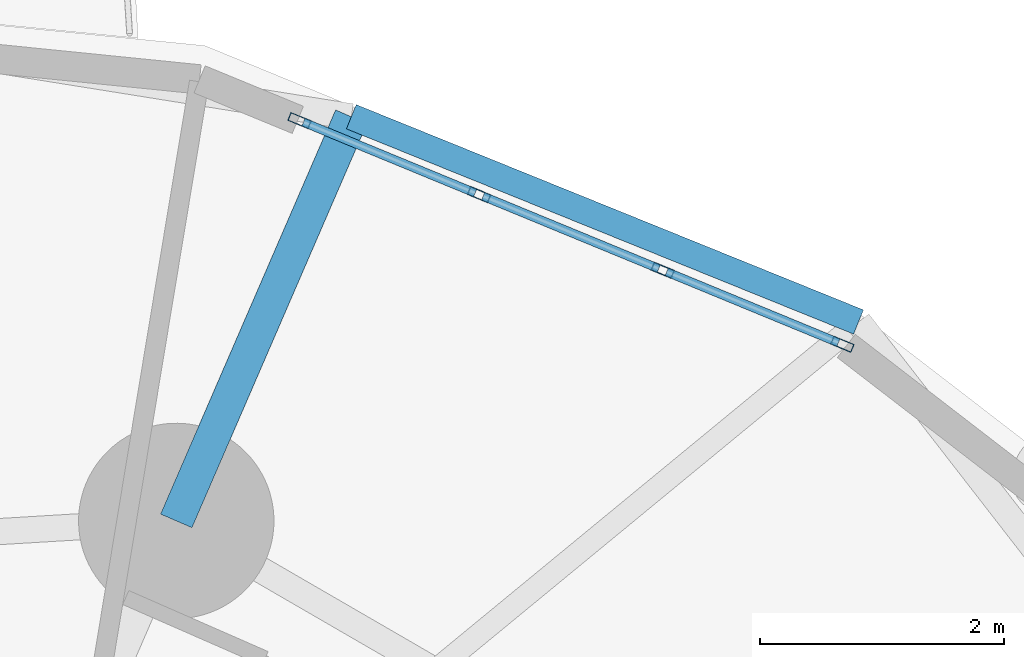
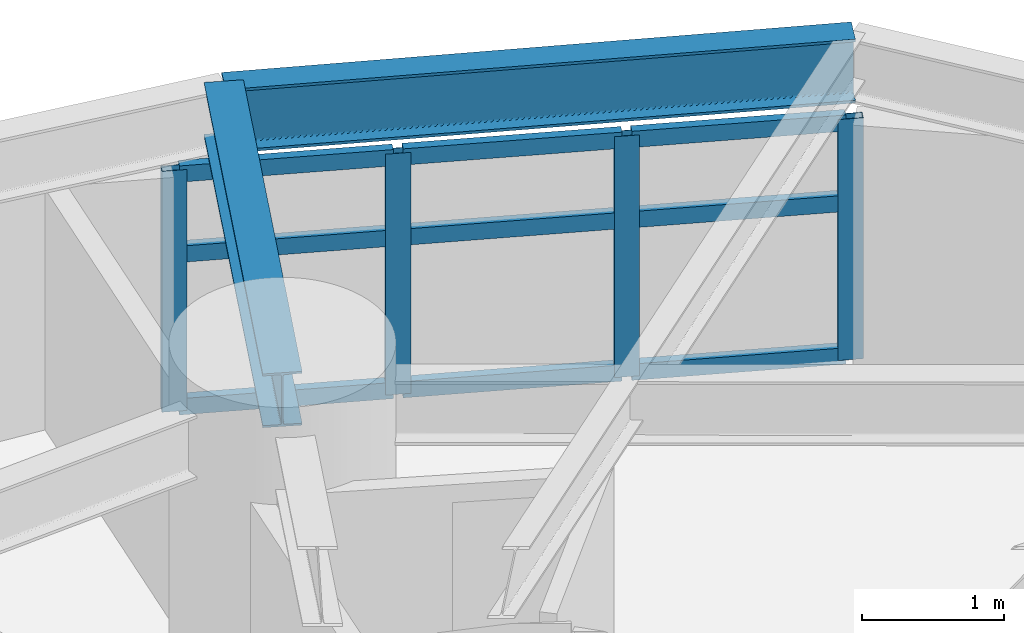
# One storey, part 6 of 19: 13 members, 2 beams, 1 element without a shape of its own.
"""IFC4 building model written with IfcOpenShell, lengths in metres."""

from ifc_helpers import new_model, si_unit, direction, frame, origin, origin_2d, place, context, subcontext, project, spatial, hollow_rectangle, i_section, extrude, material, layer, layer_set, material_profile, profile_set, type_object, element, aggregate, save


model = new_model("IFC4")

# Units and contexts
model_context = context("Model", 3, precision=1e-05, world=origin(), true_north=direction((0.0, 1.0)))
body_context = subcontext(model_context, "Body", "Model", "MODEL_VIEW")
ifc_project = project(units=[si_unit("LENGTHUNIT", "METRE"), si_unit("AREAUNIT", "SQUARE_METRE"), si_unit("VOLUMEUNIT", "CUBIC_METRE"), si_unit("PLANEANGLEUNIT", "RADIAN"), si_unit("MASSUNIT", "GRAM", prefix="KILO")], contexts=[model_context])

# Site, building, storey
site_placement = place(None, origin())
site = spatial("IfcSite", under=ifc_project, at=site_placement, CompositionType="ELEMENT")
building_placement = place(site_placement, origin())
building = spatial("IfcBuilding", under=site, at=building_placement, Name="Cununo Teusaquillo Station Towers", CompositionType="ELEMENT")
storey_placement = place(building_placement, frame((0.0, 0.0, 33.639892578125)))
storey = spatial("IfcBuildingStorey", under=building, at=storey_placement, Name="L09", CompositionType="ELEMENT", Elevation=33.639892578125)

# Beams
ifc_material_1 = material(Name="Steel ASTM A572 Grade 50", Category="steel")
ifc_material_profile_1 = material_profile(ifc_material_1, i_section(OverallWidth=0.280029296875, OverallDepth=0.462890625, WebThickness=0.0107421875, FlangeThickness=0.017333984375, FilletRadius=0.013916015625, at=origin_2d()), Name="W18X76")
ifc_profile_set_1 = profile_set([ifc_material_profile_1], Name="Steel ASTM A572 Grade 50")
beam_type_1 = type_object("IfcBeamType", Name="BM-RAD-G1", PredefinedType="BEAM", material=ifc_profile_set_1)
beam_1_placement = place(storey_placement, frame((58.291015625, 37.63525390625, 2.418701171875), z_axis=(0.397396574727, 0.91764697046, 0.0), x_axis=(-0.91764697046, 0.397396574727, 0.0)))
element("IfcBeam", 1, at=beam_1_placement, inside=storey, type_object=beam_type_1, Name="L09 Tower B Perimeter Overhang Girder 02B", PredefinedType="BEAM", context=body_context, shape_type="SweptSolid", body=[
    extrude(i_section(OverallWidth=0.280029296875, OverallDepth=0.462890625, WebThickness=0.0107421875, FlangeThickness=0.017333984375, FilletRadius=0.013916015625, at=origin_2d()), origin(), (0.0, 0.0, 1.0), 3.60693359375),
])
ifc_material_2 = material(Name="Steel ASTM A572 Grade 50", Category="steel")
ifc_material_profile_2 = material_profile(ifc_material_2, i_section(OverallWidth=0.214111328125, OverallDepth=0.549072265625, WebThickness=0.0146484375, FlangeThickness=0.023681640625, FilletRadius=0.014892578125, at=origin_2d()), Name="W21X93")
ifc_profile_set_2 = profile_set([ifc_material_profile_2], Name="Steel ASTM A572 Grade 50")
beam_type_2 = type_object("IfcBeamType", Name="BM-RING-Z1", PredefinedType="SPANDREL", material=ifc_profile_set_2)
beam_2_placement = place(storey_placement, frame((63.8779296875, 39.26416015625, 2.37548828125), z_axis=(-0.926969821386, 0.375135909025, 0.0), x_axis=(-0.375135909025, -0.926969821386, 0.0)))
element("IfcBeam", 2, at=beam_2_placement, inside=storey, type_object=beam_type_2, Name="L09 Tower B Spandrel Ring Beam 02", PredefinedType="SPANDREL", context=body_context, shape_type="SweptSolid", body=[
    extrude(i_section(OverallWidth=0.214111328125, OverallDepth=0.549072265625, WebThickness=0.0146484375, FlangeThickness=0.023681640625, FilletRadius=0.014892578125, at=origin_2d()), origin(), (0.0, 0.0, 1.0), 4.480712890625),
])

# Curtain wall, members
ifc_material_3 = material(Name="Ceramic-fritted dark low-E double glazing", Category="glass")
ifc_layer = layer(ifc_material_3, 0.179931640625)
ifc_layer_set = layer_set([ifc_layer], Name="Ceramic-fritted dark low-E double glazing")
curtain_wall_type = type_object("IfcCurtainWallType", Name="CW-SYS-02", PredefinedType="USERDEFINED", material=ifc_layer_set)
curtain_wall_placement = place(storey_placement, origin())
curtain_wall = element("IfcCurtainWall", 3, at=curtain_wall_placement, inside=storey, type_object=curtain_wall_type, Name="L09 Tower B Facade Curtain Wall C01", ObjectType="FRITTED GLAZING", PredefinedType="USERDEFINED")
ifc_material_4 = material(Name="Anodised dark bronze aluminium EN AW-6063-T6", Category="aluminium")
ifc_material_profile_3 = material_profile(ifc_material_4, hollow_rectangle(XDim=0.070068359375, YDim=0.179931640625, WallThickness=0.00390625, at=origin_2d()), Name="CW-MULL-70x180")
ifc_profile_set_3 = profile_set([ifc_material_profile_3], Name="Anodised dark bronze aluminium EN AW-6063-T6")
member_type_1 = type_object("IfcMemberType", Name="CWM-180", PredefinedType="MULLION", material=ifc_profile_set_3)
member_1_placement = place(storey_placement, frame((59.30029296875, 40.91357421875, 0.0), z_axis=(0.0, 0.0, 1.0), x_axis=(0.381054980568, 0.924552379146, 0.0)))
member_1 = element("IfcMember", 4, at=member_1_placement, type_object=member_type_1, Name="CW-02 mullion 1", PredefinedType="MULLION", context=body_context, shape_type="SweptSolid", body=[
    extrude(hollow_rectangle(XDim=0.070068359375, YDim=0.179931640625, WallThickness=0.00390625, at=origin_2d()), origin(), (0.0, 0.0, 1.0), 2.072998046875),
])
member_2_placement = place(storey_placement, frame((60.771240234375, 40.307373046875, 0.0), z_axis=(0.0, 0.0, 1.0), x_axis=(0.381054980568, 0.924552379146, 0.0)))
member_2 = element("IfcMember", 5, at=member_2_placement, type_object=member_type_1, Name="CW-02 mullion 2", PredefinedType="MULLION", context=body_context, shape_type="SweptSolid", body=[
    extrude(hollow_rectangle(XDim=0.070068359375, YDim=0.179931640625, WallThickness=0.00390625, at=origin_2d()), origin(), (0.0, 0.0, 1.0), 2.072998046875),
])
member_3_placement = place(storey_placement, frame((62.274658203125, 39.687744140625, 0.0), z_axis=(0.0, 0.0, 1.0), x_axis=(0.381054980568, 0.924552379146, 0.0)))
member_3 = element("IfcMember", 6, at=member_3_placement, type_object=member_type_1, Name="CW-02 mullion 3", PredefinedType="MULLION", context=body_context, shape_type="SweptSolid", body=[
    extrude(hollow_rectangle(XDim=0.070068359375, YDim=0.179931640625, WallThickness=0.00390625, at=origin_2d()), origin(), (0.0, 0.0, 1.0), 2.072998046875),
])
member_4_placement = place(storey_placement, frame((63.74560546875, 39.08154296875, 0.0), z_axis=(0.0, 0.0, 1.0), x_axis=(0.381054980568, 0.924552379146, 0.0)))
member_4 = element("IfcMember", 7, at=member_4_placement, type_object=member_type_1, Name="CW-02 mullion 4", PredefinedType="MULLION", context=body_context, shape_type="SweptSolid", body=[
    extrude(hollow_rectangle(XDim=0.070068359375, YDim=0.179931640625, WallThickness=0.00390625, at=origin_2d()), origin(), (0.0, 0.0, 1.0), 2.072998046875),
])
ifc_material_5 = material(Name="Anodised dark bronze aluminium EN AW-6063-T6", Category="aluminium")
ifc_material_profile_4 = material_profile(ifc_material_5, hollow_rectangle(XDim=0.070068359375, YDim=0.139892578125, WallThickness=0.00390625, at=origin_2d()), Name="CW-TRAN-70x140")
ifc_profile_set_4 = profile_set([ifc_material_profile_4], Name="Anodised dark bronze aluminium EN AW-6063-T6")
member_type_2 = type_object("IfcMemberType", Name="CWT-140", PredefinedType="USERDEFINED", material=ifc_profile_set_4)
member_5_placement = place(storey_placement, frame((59.33251953125, 40.900390625, 0.03515625), z_axis=(0.924551727134, -0.381056562538, 0.0), x_axis=(0.381056562538, 0.924551727134, 0.0)))
member_5 = element("IfcMember", 8, at=member_5_placement, type_object=member_type_2, Name="CW-02 transom 1.1", ObjectType="TRANSOM", PredefinedType="USERDEFINED", context=body_context, shape_type="SweptSolid", body=[
    extrude(hollow_rectangle(XDim=0.070068359375, YDim=0.139892578125, WallThickness=0.00390625, at=origin_2d()), origin(), (0.0, 0.0, 1.0), 1.52099609375),
])
member_6_placement = place(storey_placement, frame((59.33251953125, 40.900390625, 1.34716796875), z_axis=(0.924551727134, -0.381056562538, 0.0), x_axis=(0.381056562538, 0.924551727134, 0.0)))
member_6 = element("IfcMember", 9, at=member_6_placement, type_object=member_type_2, Name="CW-02 transom 1.2", ObjectType="TRANSOM", PredefinedType="USERDEFINED", context=body_context, shape_type="SweptSolid", body=[
    extrude(hollow_rectangle(XDim=0.070068359375, YDim=0.139892578125, WallThickness=0.00390625, at=origin_2d()), origin(), (0.0, 0.0, 1.0), 1.52099609375),
])
member_7_placement = place(storey_placement, frame((59.33251953125, 40.900390625, 2.0380859375), z_axis=(0.924551727134, -0.381056562538, 0.0), x_axis=(0.381056562538, 0.924551727134, 0.0)))
member_7 = element("IfcMember", 10, at=member_7_placement, type_object=member_type_2, Name="CW-02 transom 1.3", ObjectType="TRANSOM", PredefinedType="USERDEFINED", context=body_context, shape_type="SweptSolid", body=[
    extrude(hollow_rectangle(XDim=0.070068359375, YDim=0.139892578125, WallThickness=0.00390625, at=origin_2d()), origin(), (0.0, 0.0, 1.0), 1.52099609375),
])
member_8_placement = place(storey_placement, frame((60.8037109375, 40.2939453125, 0.03515625), z_axis=(0.924574069504, -0.381002349076, 0.0), x_axis=(0.381002349076, 0.924574069504, 0.0)))
member_8 = element("IfcMember", 11, at=member_8_placement, type_object=member_type_2, Name="CW-02 transom 2.1", ObjectType="TRANSOM", PredefinedType="USERDEFINED", context=body_context, shape_type="SweptSolid", body=[
    extrude(hollow_rectangle(XDim=0.070068359375, YDim=0.139892578125, WallThickness=0.00390625, at=origin_2d()), origin(), (0.0, 0.0, 1.0), 1.555908203125),
])
member_9_placement = place(storey_placement, frame((60.8037109375, 40.2939453125, 1.34716796875), z_axis=(0.924574069504, -0.381002349076, 0.0), x_axis=(0.381002349076, 0.924574069504, 0.0)))
member_9 = element("IfcMember", 12, at=member_9_placement, type_object=member_type_2, Name="CW-02 transom 2.2", ObjectType="TRANSOM", PredefinedType="USERDEFINED", context=body_context, shape_type="SweptSolid", body=[
    extrude(hollow_rectangle(XDim=0.070068359375, YDim=0.139892578125, WallThickness=0.00390625, at=origin_2d()), origin(), (0.0, 0.0, 1.0), 1.555908203125),
])
member_10_placement = place(storey_placement, frame((60.8037109375, 40.2939453125, 2.0380859375), z_axis=(0.924574069504, -0.381002349076, 0.0), x_axis=(0.381002349076, 0.924574069504, 0.0)))
member_10 = element("IfcMember", 13, at=member_10_placement, type_object=member_type_2, Name="CW-02 transom 2.3", ObjectType="TRANSOM", PredefinedType="USERDEFINED", context=body_context, shape_type="SweptSolid", body=[
    extrude(hollow_rectangle(XDim=0.070068359375, YDim=0.139892578125, WallThickness=0.00390625, at=origin_2d()), origin(), (0.0, 0.0, 1.0), 1.555908203125),
])
member_11_placement = place(storey_placement, frame((62.306884765625, 39.674560546875, 0.03515625), z_axis=(0.924551727134, -0.381056562538, 0.0), x_axis=(0.381056562538, 0.924551727134, 0.0)))
member_11 = element("IfcMember", 14, at=member_11_placement, type_object=member_type_2, Name="CW-02 transom 3.1", ObjectType="TRANSOM", PredefinedType="USERDEFINED", context=body_context, shape_type="SweptSolid", body=[
    extrude(hollow_rectangle(XDim=0.070068359375, YDim=0.139892578125, WallThickness=0.00390625, at=origin_2d()), origin(), (0.0, 0.0, 1.0), 1.52099609375),
])
member_12_placement = place(storey_placement, frame((62.306884765625, 39.674560546875, 1.34716796875), z_axis=(0.924551727134, -0.381056562538, 0.0), x_axis=(0.381056562538, 0.924551727134, 0.0)))
member_12 = element("IfcMember", 15, at=member_12_placement, type_object=member_type_2, Name="CW-02 transom 3.2", ObjectType="TRANSOM", PredefinedType="USERDEFINED", context=body_context, shape_type="SweptSolid", body=[
    extrude(hollow_rectangle(XDim=0.070068359375, YDim=0.139892578125, WallThickness=0.00390625, at=origin_2d()), origin(), (0.0, 0.0, 1.0), 1.52099609375),
])
member_13_placement = place(storey_placement, frame((62.306884765625, 39.674560546875, 2.0380859375), z_axis=(0.924551727134, -0.381056562538, 0.0), x_axis=(0.381056562538, 0.924551727134, 0.0)))
member_13 = element("IfcMember", 16, at=member_13_placement, type_object=member_type_2, Name="CW-02 transom 3.3", ObjectType="TRANSOM", PredefinedType="USERDEFINED", context=body_context, shape_type="SweptSolid", body=[
    extrude(hollow_rectangle(XDim=0.070068359375, YDim=0.139892578125, WallThickness=0.00390625, at=origin_2d()), origin(), (0.0, 0.0, 1.0), 1.52099609375),
])
aggregate(curtain_wall, [member_1, member_2, member_3, member_4, member_5, member_6, member_7, member_8, member_9, member_10, member_11, member_12, member_13])

save(model, "model.ifc")
